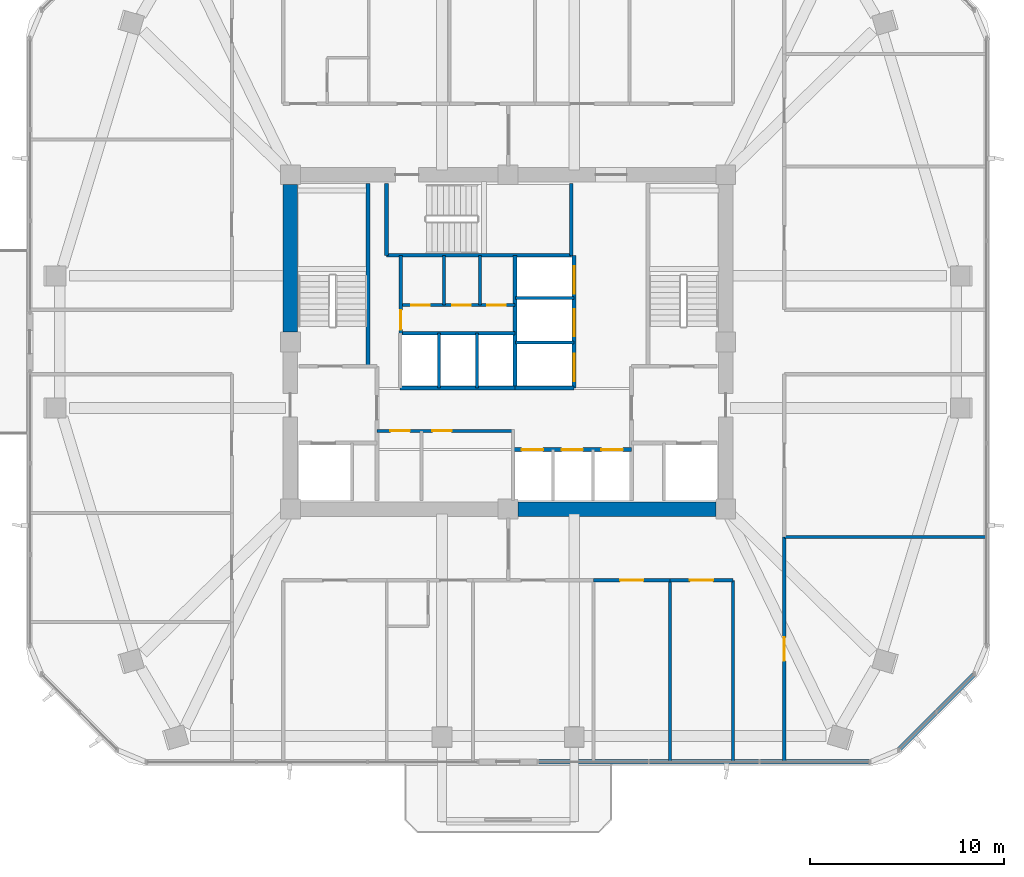
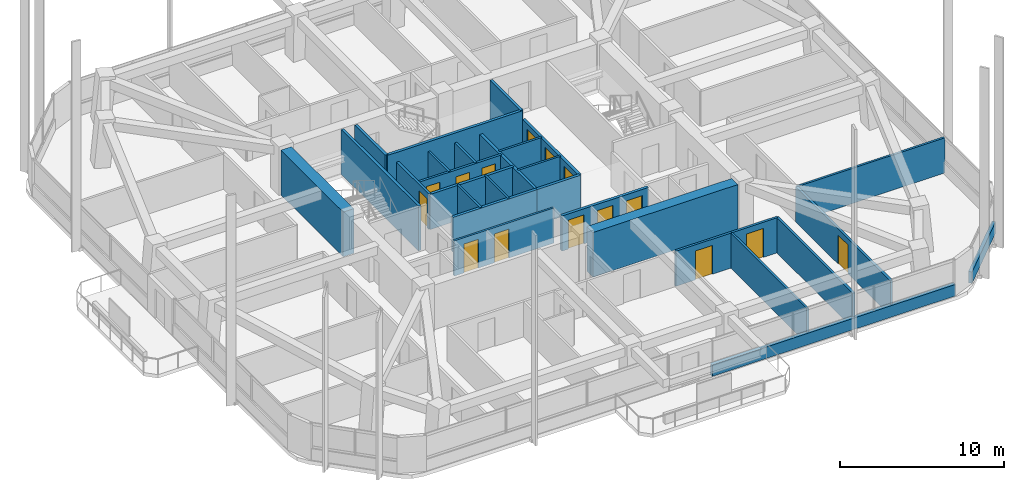
# One storey, part 9 of 15: 29 walls, 15 doors, 15 openings.
"""IFC4 building model written with IfcOpenShell, lengths in metres."""

from ifc_helpers import new_model, si_unit, derived_unit, direction, frame, frame_2d, origin, place, context, subcontext, project, spatial, rectangle, extrude, material, layer, layer_set, type_object, element, fill, save


model = new_model("IFC4")

# Units and contexts
model_context = context("Model", 3, precision=1e-05, world=origin(), true_north=direction((0.0, 1.0)))
body_context = subcontext(model_context, "Body", "Model", "MODEL_VIEW")
ifc_project = project(units=[si_unit("LENGTHUNIT", "METRE"), si_unit("AREAUNIT", "SQUARE_METRE"), si_unit("VOLUMEUNIT", "CUBIC_METRE"), si_unit("PLANEANGLEUNIT", "RADIAN"), si_unit("MASSUNIT", "GRAM", prefix="KILO"), derived_unit("THERMALTRANSMITTANCEUNIT", [(si_unit("POWERUNIT", "WATT"), 1), (si_unit("LENGTHUNIT", "METRE"), -2), (si_unit("THERMODYNAMICTEMPERATUREUNIT", "KELVIN"), -1)])], contexts=[model_context])

# Site, building, storey
site_placement = place(None, origin())
site = spatial("IfcSite", under=ifc_project, at=site_placement, CompositionType="ELEMENT")
building_placement = place(site_placement, origin())
building = spatial("IfcBuilding", under=site, at=building_placement, Name="Koralith Skygarden Medical Center", CompositionType="ELEMENT")
storey_placement = place(building_placement, frame((0.0, 0.0, 113.580078125)))
storey = spatial("IfcBuildingStorey", under=building, at=storey_placement, Name="L29", CompositionType="ELEMENT", Elevation=113.580078125)

# Wall, openings, doors
ifc_material_1 = material(Name="Gypsum Board Partition")
ifc_layer_1 = layer(ifc_material_1, 0.14990234375)
ifc_layer_set_1 = layer_set([ifc_layer_1], Name="Gypsum Board Partition")
wall_type_1 = type_object("IfcWallType", Name="Clinical Acoustic Partition 150", PredefinedType="PARTITIONING", material=ifc_layer_set_1)
wall_1_placement = place(storey_placement, frame((30.25, 21.320068359375, 0.0), z_axis=(0.0, 0.0, 1.0), x_axis=(1.0, 0.0, 0.0)))
wall_1 = element("IfcWall", 1, at=wall_1_placement, inside=storey, type_object=wall_type_1, Name="L29 Clinical Acoustic Partition 150 W-CORE-L29-FREED-LR-N", PredefinedType="PARTITIONING", context=body_context, shape_type="SweptSolid", body=[
    extrude(rectangle(XDim=7.0, YDim=0.14990234375, at=frame_2d((3.5, 0.0))), origin(), (0.0, 0.0, 1.0), 2.60986328125),
])
opening_1_placement = place(wall_1_placement, frame((0.699951171875, 0.0, 0.0)))
opening_1 = element("IfcOpeningElement", 2, at=opening_1_placement, cuts=wall_1, Name="Opening D-SUP", PredefinedType="OPENING", context=body_context, shape_type="SweptSolid", body=[
    extrude(rectangle(XDim=1.0, YDim=2.14990234375, at=frame_2d((0.5, 1.074951171875))), frame((0.0, 0.0849609375, 0.0), z_axis=(0.0, -1.0, 0.0), x_axis=(1.0, 0.0, 0.0)), (0.0, 0.0, 1.0), 0.169921875),
])
opening_2_placement = place(wall_1_placement, frame((2.85009765625, 0.0, 0.0)))
opening_2 = element("IfcOpeningElement", 3, at=opening_2_placement, cuts=wall_1, Name="Opening D-SUP", PredefinedType="OPENING", context=body_context, shape_type="SweptSolid", body=[
    extrude(rectangle(XDim=1.0, YDim=2.14990234375, at=frame_2d((0.5, 1.074951171875))), frame((0.0, 0.0849609375, 0.0), z_axis=(0.0, -1.0, 0.0), x_axis=(1.0, 0.0, 0.0)), (0.0, 0.0, 1.0), 0.169921875),
])
ifc_material_2 = material(Name="Aluminium 6063-T6", Category="aluminium")
door_type_1 = type_object("IfcDoorType", Name="Clinical Support Door D-SUP 1000", OperationType="NOTDEFINED", PredefinedType="DOOR", material=ifc_material_2)
door_1_placement = place(opening_1_placement, frame((1.0, 0.0, 0.0), z_axis=(0.0, 0.0, 1.0), x_axis=(-1.0, 0.0, 0.0)))
door_1 = element("IfcDoor", 4, at=door_1_placement, inside=storey, type_object=door_type_1, Name="L29 Medication Preparation Door", OperationType="SINGLE_SWING_LEFT", OverallHeight=2.14990234375, OverallWidth=1.0, PredefinedType="DOOR", context=body_context, shape_type="SweptSolid", body=[
    extrude(rectangle(XDim=1.0, YDim=2.14990234375, at=frame_2d((0.5, 1.074951171875))), frame((0.0, 0.02490234375, 0.0), z_axis=(0.0, -1.0, 0.0), x_axis=(1.0, 0.0, 0.0)), (0.0, 0.0, 1.0), 0.050048828125),
])
fill(opening_1, door_1)
door_2_placement = place(opening_2_placement, frame((1.0, 0.0, 0.0), z_axis=(0.0, 0.0, 1.0), x_axis=(-1.0, 0.0, 0.0)))
door_2 = element("IfcDoor", 5, at=door_2_placement, inside=storey, type_object=door_type_1, Name="L29 Telemetry Room Door", OperationType="SINGLE_SWING_RIGHT", OverallHeight=2.14990234375, OverallWidth=1.0, PredefinedType="DOOR", context=body_context, shape_type="SweptSolid", body=[
    extrude(rectangle(XDim=1.0, YDim=2.14990234375, at=frame_2d((0.5, 1.074951171875))), frame((0.0, 0.02490234375, 0.0), z_axis=(0.0, -1.0, 0.0), x_axis=(1.0, 0.0, 0.0)), (0.0, 0.0, 1.0), 0.050048828125),
])
fill(opening_2, door_2)

# Walls
for number, where, z_axis, x_axis, name in (
    (6, (33.699951171875, 27.800048828125, 0.0), (0.0, 0.0, 1.0), (0.0, 1.0, 0.0), "L29 Clinical Acoustic Partition 150 W-CORE-L29-FLEX-V2A"),
    (7, (35.56005859375, 27.800048828125, 0.0), (0.0, 0.0, 1.0), (0.0, 1.0, 0.0), "L29 Clinical Acoustic Partition 150 W-CORE-L29-FLEX-V2B"),
):
    element("IfcWall", number, at=place(storey_placement, frame(where, z_axis=z_axis, x_axis=x_axis)), inside=storey, type_object=wall_type_1, Name=name, PredefinedType="PARTITIONING", context=body_context, shape_type="SweptSolid", body=[
        extrude(rectangle(XDim=2.56005859375, YDim=0.14990234375, at=frame_2d((1.280029296875, 0.0))), origin(), (0.0, 0.0, 1.0), 2.60986328125),
    ])
wall_2_placement = place(storey_placement, frame((45.322998046875, 13.639892578125, 0.0), z_axis=(0.0, 0.0, 1.0), x_axis=(0.0, -1.0, 0.0)))
element("IfcWall", 8, at=wall_2_placement, inside=storey, type_object=wall_type_1, Name="L29 Clinical Acoustic Partition 150 W-PART-L29-S-04", PredefinedType="PARTITIONING", context=body_context, shape_type="SweptSolid", body=[
    extrude(rectangle(XDim=9.32080078125, YDim=0.14990234375, at=frame_2d((4.660400390625, 0.0))), origin(), (0.0, 0.0, 1.0), 2.60986328125),
])
wall_3_placement = place(storey_placement, frame((51.2099609375, 15.873046875, 0.0), z_axis=(0.0, 0.0, 1.0), x_axis=(1.0, 0.0, 0.0)))
element("IfcWall", 9, at=wall_3_placement, inside=storey, type_object=wall_type_1, Name="L29 Clinical Acoustic Partition 150 W-PART-L29-ES-01", PredefinedType="PARTITIONING", context=body_context, shape_type="SweptSolid", body=[
    extrude(rectangle(XDim=10.3740234375, YDim=0.14990234375, at=frame_2d((5.18701171875, 0.0))), origin(), (0.0, 0.0, 1.0), 2.60986328125),
])
ifc_layer_2 = layer(ifc_material_1, 0.1650390625)
ifc_layer_set_2 = layer_set([ifc_layer_2], Name="Gypsum Board Partition")
wall_type_2 = type_object("IfcWallType", Name="Clinical Corridor Partition 165", PredefinedType="PARTITIONING", material=ifc_layer_set_2)
wall_4_placement = place(storey_placement, frame((48.570068359375, 4.319091796875, 0.0), z_axis=(0.0, 0.0, 1.0), x_axis=(0.0, 1.0, 0.0)))
element("IfcWall", 10, at=wall_4_placement, inside=storey, type_object=wall_type_2, Name="L29 Clinical Corridor Partition 165 W-HCOR-L29-SE", PredefinedType="PARTITIONING", context=body_context, shape_type="SweptSolid", body=[
    extrude(rectangle(XDim=9.32080078125, YDim=0.1650390625, at=frame_2d((4.660400390625, 0.0))), origin(), (0.0, 0.0, 1.0), 2.60986328125),
])

# Wall, opening, door
wall_5_placement = place(storey_placement, frame((41.39306640625, 13.639892578125, 0.0), z_axis=(0.0, 0.0, 1.0), x_axis=(1.0, 0.0, 0.0)))
wall_5 = element("IfcWall", 11, at=wall_5_placement, inside=storey, type_object=wall_type_2, Name="L29 Clinical Corridor Partition 165 W-CORR-L29-S-04", PredefinedType="PARTITIONING", context=body_context, shape_type="SweptSolid", body=[
    extrude(rectangle(XDim=3.929931640625, YDim=0.1650390625, at=frame_2d((1.96484375, 0.0))), origin(), (0.0, 0.0, 1.0), 2.60986328125),
])
opening_3_placement = place(wall_5_placement, frame((1.364990234375, 0.0, 0.0)))
opening_3 = element("IfcOpeningElement", 12, at=opening_3_placement, cuts=wall_5, Name="Opening D-CLN", PredefinedType="OPENING", context=body_context, shape_type="SweptSolid", body=[
    extrude(rectangle(XDim=1.199951171875, YDim=2.14990234375, at=frame_2d((0.60009765625, 1.074951171875))), frame((0.0, 0.092529296875, 0.0), z_axis=(0.0, -1.0, 0.0), x_axis=(1.0, 0.0, 0.0)), (0.0, 0.0, 1.0), 0.18505859375),
])
door_type_2 = type_object("IfcDoorType", Name="Clinical Corridor Door D-CLN 1200", OperationType="NOTDEFINED", PredefinedType="DOOR", material=ifc_material_2)
door_3_placement = place(opening_3_placement, frame((1.199951171875, 0.0, 0.0), z_axis=(0.0, 0.0, 1.0), x_axis=(-1.0, 0.0, 0.0)))
door_3 = element("IfcDoor", 13, at=door_3_placement, inside=storey, type_object=door_type_2, Name="L29 Patient Rest Lounge 09 Door", OperationType="SINGLE_SWING_RIGHT", OverallHeight=2.14990234375, OverallWidth=1.199951171875, PredefinedType="DOOR", context=body_context, shape_type="SweptSolid", body=[
    extrude(rectangle(XDim=1.199951171875, YDim=2.14990234375, at=frame_2d((0.60009765625, 1.074951171875))), frame((0.0, 0.02490234375, 0.0), z_axis=(0.0, -1.0, 0.0), x_axis=(1.0, 0.0, 0.0)), (0.0, 0.0, 1.0), 0.050048828125),
])
fill(opening_3, door_3)

wall_6_placement = place(storey_placement, frame((45.322998046875, 13.639892578125, 0.0), z_axis=(0.0, 0.0, 1.0), x_axis=(1.0, 0.0, 0.0)))
wall_6 = element("IfcWall", 14, at=wall_6_placement, inside=storey, type_object=wall_type_2, Name="L29 Clinical Corridor Partition 165 W-CORR-L29-S-05", PredefinedType="PARTITIONING", context=body_context, shape_type="SweptSolid", body=[
    extrude(rectangle(XDim=3.2470703125, YDim=0.1650390625, at=frame_2d((1.62353515625, 0.0))), origin(), (0.0, 0.0, 1.0), 2.60986328125),
])
opening_4_placement = place(wall_6_placement, frame((1.02294921875, 0.0, 0.0)))
opening_4 = element("IfcOpeningElement", 15, at=opening_4_placement, cuts=wall_6, Name="Opening D-CLN", PredefinedType="OPENING", context=body_context, shape_type="SweptSolid", body=[
    extrude(rectangle(XDim=1.199951171875, YDim=2.14990234375, at=frame_2d((0.60009765625, 1.074951171875))), frame((0.0, 0.092529296875, 0.0), z_axis=(0.0, -1.0, 0.0), x_axis=(1.0, 0.0, 0.0)), (0.0, 0.0, 1.0), 0.18505859375),
])
door_4_placement = place(opening_4_placement, frame((1.199951171875, 0.0, 0.0), z_axis=(0.0, 0.0, 1.0), x_axis=(-1.0, 0.0, 0.0)))
door_4 = element("IfcDoor", 16, at=door_4_placement, inside=storey, type_object=door_type_2, Name="L29 Exercise Physiologist Office 10 Door", OperationType="SINGLE_SWING_LEFT", OverallHeight=2.14990234375, OverallWidth=1.199951171875, PredefinedType="DOOR", context=body_context, shape_type="SweptSolid", body=[
    extrude(rectangle(XDim=1.199951171875, YDim=2.14990234375, at=frame_2d((0.60009765625, 1.074951171875))), frame((0.0, 0.02490234375, 0.0), z_axis=(0.0, -1.0, 0.0), x_axis=(1.0, 0.0, 0.0)), (0.0, 0.0, 1.0), 0.050048828125),
])
fill(opening_4, door_4)

wall_7_placement = place(storey_placement, frame((51.2099609375, 4.319091796875, 0.0), z_axis=(0.0, 0.0, 1.0), x_axis=(0.0, 1.0, 0.0)))
wall_7 = element("IfcWall", 17, at=wall_7_placement, inside=storey, type_object=wall_type_2, Name="L29 Clinical Corridor Partition 165 W-CORR-L29-ES-01", PredefinedType="PARTITIONING", context=body_context, shape_type="SweptSolid", body=[
    extrude(rectangle(XDim=11.553955078125, YDim=0.1650390625, at=frame_2d((5.77685546875, 0.0))), origin(), (0.0, 0.0, 1.0), 2.60986328125),
])
opening_5_placement = place(wall_7_placement, frame((5.177001953125, 0.0, 0.0)))
opening_5 = element("IfcOpeningElement", 18, at=opening_5_placement, cuts=wall_7, Name="Opening D-CLN", PredefinedType="OPENING", context=body_context, shape_type="SweptSolid", body=[
    extrude(rectangle(XDim=1.199951171875, YDim=2.14990234375, at=frame_2d((0.60009765625, 1.074951171875))), frame((0.0, 0.092529296875, 0.0), z_axis=(0.0, -1.0, 0.0), x_axis=(1.0, 0.0, 0.0)), (0.0, 0.0, 1.0), 0.18505859375),
])
door_5_placement = place(opening_5_placement, origin())
door_5 = element("IfcDoor", 19, at=door_5_placement, inside=storey, type_object=door_type_2, Name="L29 Cardiopulmonary Rehab Gym Hall 16 Door", OperationType="SINGLE_SWING_LEFT", OverallHeight=2.14990234375, OverallWidth=1.199951171875, PredefinedType="DOOR", context=body_context, shape_type="SweptSolid", body=[
    extrude(rectangle(XDim=1.199951171875, YDim=2.14990234375, at=frame_2d((0.60009765625, 1.074951171875))), frame((0.0, 0.02490234375, 0.0), z_axis=(0.0, -1.0, 0.0), x_axis=(1.0, 0.0, 0.0)), (0.0, 0.0, 1.0), 0.050048828125),
])
fill(opening_5, door_5)

# Wall, openings, doors
ifc_layer_3 = layer(ifc_material_1, 0.199951171875)
ifc_layer_set_3 = layer_set([ifc_layer_3], Name="Gypsum Board Partition")
wall_type_3 = type_object("IfcWallType", Name="Fire Shaft Wall 200", PredefinedType="SOLIDWALL", material=ifc_layer_set_3)
wall_8_placement = place(storey_placement, frame((37.25, 20.360107421875, 0.0), z_axis=(0.0, 0.0, 1.0), x_axis=(1.0, 0.0, 0.0)))
wall_8 = element("IfcWall", 20, at=wall_8_placement, inside=storey, type_object=wall_type_3, Name="L29 Fire Shaft Wall 200 W-CORE-L29-PM-N", PredefinedType="SOLIDWALL", context=body_context, shape_type="SweptSolid", body=[
    extrude(rectangle(XDim=6.10009765625, YDim=0.199951171875, at=frame_2d((3.050048828125, 0.0))), origin(), (0.0, 0.0, 1.0), 2.60986328125),
])
opening_6_placement = place(wall_8_placement, frame((0.449951171875, 0.0, 0.0)))
opening_6 = element("IfcOpeningElement", 21, at=opening_6_placement, cuts=wall_8, Name="Opening LD-P", PredefinedType="OPENING", context=body_context, shape_type="SweptSolid", body=[
    extrude(rectangle(XDim=1.10009765625, YDim=2.14990234375, at=frame_2d((0.550048828125, 1.074951171875))), frame((0.0, 0.10986328125, 0.0), z_axis=(0.0, -1.0, 0.0), x_axis=(1.0, 0.0, 0.0)), (0.0, 0.0, 1.0), 0.219970703125),
])
opening_7_placement = place(wall_8_placement, frame((2.5, 0.0, 0.0)))
opening_7 = element("IfcOpeningElement", 22, at=opening_7_placement, cuts=wall_8, Name="Opening LD-P", PredefinedType="OPENING", context=body_context, shape_type="SweptSolid", body=[
    extrude(rectangle(XDim=1.10009765625, YDim=2.14990234375, at=frame_2d((0.550048828125, 1.074951171875))), frame((0.0, 0.10986328125, 0.0), z_axis=(0.0, -1.0, 0.0), x_axis=(1.0, 0.0, 0.0)), (0.0, 0.0, 1.0), 0.219970703125),
])
opening_8_placement = place(wall_8_placement, frame((4.550048828125, 0.0, 0.0)))
opening_8 = element("IfcOpeningElement", 23, at=opening_8_placement, cuts=wall_8, Name="Opening LD-P", PredefinedType="OPENING", context=body_context, shape_type="SweptSolid", body=[
    extrude(rectangle(XDim=1.10009765625, YDim=2.14990234375, at=frame_2d((0.550048828125, 1.074951171875))), frame((0.0, 0.10986328125, 0.0), z_axis=(0.0, -1.0, 0.0), x_axis=(1.0, 0.0, 0.0)), (0.0, 0.0, 1.0), 0.219970703125),
])
ifc_material_3 = material(Name="Steel ASTM A500 Grade C", Category="steel")
door_type_3 = type_object("IfcDoorType", Name="Passenger Lift Sliding Landing Door LD-P 1100", OperationType="NOTDEFINED", PredefinedType="DOOR", material=ifc_material_3)
door_6_placement = place(opening_6_placement, origin())
door_6 = element("IfcDoor", 24, at=door_6_placement, inside=storey, type_object=door_type_3, Name="L29 Passenger Elevator PM1 Landing Door", OperationType="SLIDING_TO_LEFT", OverallHeight=2.14990234375, OverallWidth=1.10009765625, PredefinedType="DOOR", context=body_context, shape_type="SweptSolid", body=[
    extrude(rectangle(XDim=1.10009765625, YDim=2.14990234375, at=frame_2d((0.550048828125, 1.074951171875))), frame((0.0, 0.02490234375, 0.0), z_axis=(0.0, -1.0, 0.0), x_axis=(1.0, 0.0, 0.0)), (0.0, 0.0, 1.0), 0.050048828125),
])
fill(opening_6, door_6)
door_7_placement = place(opening_7_placement, origin())
door_7 = element("IfcDoor", 25, at=door_7_placement, inside=storey, type_object=door_type_3, Name="L29 Passenger Elevator PM2 Landing Door", OperationType="SLIDING_TO_LEFT", OverallHeight=2.14990234375, OverallWidth=1.10009765625, PredefinedType="DOOR", context=body_context, shape_type="SweptSolid", body=[
    extrude(rectangle(XDim=1.10009765625, YDim=2.14990234375, at=frame_2d((0.550048828125, 1.074951171875))), frame((0.0, 0.02490234375, 0.0), z_axis=(0.0, -1.0, 0.0), x_axis=(1.0, 0.0, 0.0)), (0.0, 0.0, 1.0), 0.050048828125),
])
fill(opening_7, door_7)
door_8_placement = place(opening_8_placement, origin())
door_8 = element("IfcDoor", 26, at=door_8_placement, inside=storey, type_object=door_type_3, Name="L29 Passenger Elevator PM3 Landing Door", OperationType="SLIDING_TO_LEFT", OverallHeight=2.14990234375, OverallWidth=1.10009765625, PredefinedType="DOOR", context=body_context, shape_type="SweptSolid", body=[
    extrude(rectangle(XDim=1.10009765625, YDim=2.14990234375, at=frame_2d((0.550048828125, 1.074951171875))), frame((0.0, 0.02490234375, 0.0), z_axis=(0.0, -1.0, 0.0), x_axis=(1.0, 0.0, 0.0)), (0.0, 0.0, 1.0), 0.050048828125),
])
fill(opening_8, door_8)

# Walls
for number, where, z_axis, x_axis, name in (
    (27, (31.449951171875, 23.5400390625, 0.0), (0.0, 0.0, 1.0), (1.0, 0.0, 0.0), "L29 Fire Shaft Wall 200 W-CORE-L29-PH-S"),
    (28, (31.449951171875, 26.35009765625, 0.0), (0.0, 0.0, 1.0), (1.0, 0.0, 0.0), "L29 Fire Shaft Wall 200 W-CORE-L29-PH-N"),
):
    element("IfcWall", number, at=place(storey_placement, frame(where, z_axis=z_axis, x_axis=x_axis)), inside=storey, type_object=wall_type_3, Name=name, PredefinedType="SOLIDWALL", context=body_context, shape_type="SweptSolid", body=[
        extrude(rectangle(XDim=5.900146484375, YDim=0.199951171875, at=frame_2d((2.9501953125, 0.0))), origin(), (0.0, 0.0, 1.0), 2.60986328125),
    ])
wall_9_placement = place(storey_placement, frame((37.35009765625, 23.5400390625, 0.0), z_axis=(0.0, 0.0, 1.0), x_axis=(0.0, 1.0, 0.0)))
element("IfcWall", 29, at=wall_9_placement, inside=storey, type_object=wall_type_3, Name="L29 Fire Shaft Wall 200 W-CORE-L29-SV-W", PredefinedType="SOLIDWALL", context=body_context, shape_type="SweptSolid", body=[
    extrude(rectangle(XDim=6.820068359375, YDim=0.199951171875, at=frame_2d((3.41015625, 0.0))), origin(), (0.0, 0.0, 1.0), 2.60986328125),
])
wall_10_placement = place(storey_placement, frame((37.35009765625, 23.5400390625, 0.0), z_axis=(0.0, 0.0, 1.0), x_axis=(1.0, 0.0, 0.0)))
element("IfcWall", 30, at=wall_10_placement, inside=storey, type_object=wall_type_3, Name="L29 Fire Shaft Wall 200 W-CORE-L29-SV-S", PredefinedType="SOLIDWALL", context=body_context, shape_type="SweptSolid", body=[
    extrude(rectangle(XDim=3.0498046875, YDim=0.199951171875, at=frame_2d((1.52490234375, 0.0))), origin(), (0.0, 0.0, 1.0), 2.60986328125),
])

# Wall, openings, doors
wall_11_placement = place(storey_placement, frame((40.39990234375, 23.5400390625, 0.0), z_axis=(0.0, 0.0, 1.0), x_axis=(0.0, 1.0, 0.0)))
wall_11 = element("IfcWall", 31, at=wall_11_placement, inside=storey, type_object=wall_type_3, Name="L29 Fire Shaft Wall 200 W-CORE-L29-SV-E", PredefinedType="SOLIDWALL", context=body_context, shape_type="SweptSolid", body=[
    extrude(rectangle(XDim=6.820068359375, YDim=0.199951171875, at=frame_2d((3.41015625, 0.0))), origin(), (0.0, 0.0, 1.0), 2.60986328125),
])
opening_9_placement = place(wall_11_placement, frame((0.35009765625, 0.0, 0.0)))
opening_9 = element("IfcOpeningElement", 32, at=opening_9_placement, cuts=wall_11, Name="Opening LD-SV", PredefinedType="OPENING", context=body_context, shape_type="SweptSolid", body=[
    extrude(rectangle(XDim=1.39990234375, YDim=2.199951171875, at=frame_2d((0.699951171875, 1.10009765625))), frame((0.0, 0.10986328125, 0.0), z_axis=(0.0, -1.0, 0.0), x_axis=(1.0, 0.0, 0.0)), (0.0, 0.0, 1.0), 0.219970703125),
])
opening_10_placement = place(wall_11_placement, frame((2.64990234375, 0.0, 0.0)))
opening_10 = element("IfcOpeningElement", 33, at=opening_10_placement, cuts=wall_11, Name="Opening LD-SV", PredefinedType="OPENING", context=body_context, shape_type="SweptSolid", body=[
    extrude(rectangle(XDim=1.39990234375, YDim=2.199951171875, at=frame_2d((0.699951171875, 1.10009765625))), frame((0.0, 0.10986328125, 0.0), z_axis=(0.0, -1.0, 0.0), x_axis=(1.0, 0.0, 0.0)), (0.0, 0.0, 1.0), 0.219970703125),
])
opening_11_placement = place(wall_11_placement, frame((4.85009765625, 0.0, 0.0)))
opening_11 = element("IfcOpeningElement", 34, at=opening_11_placement, cuts=wall_11, Name="Opening LD-SV", PredefinedType="OPENING", context=body_context, shape_type="SweptSolid", body=[
    extrude(rectangle(XDim=1.39990234375, YDim=2.199951171875, at=frame_2d((0.699951171875, 1.10009765625))), frame((0.0, 0.10986328125, 0.0), z_axis=(0.0, -1.0, 0.0), x_axis=(1.0, 0.0, 0.0)), (0.0, 0.0, 1.0), 0.219970703125),
])
door_type_4 = type_object("IfcDoorType", Name="Bed Lift Sliding Landing Door LD-SV 1400", OperationType="NOTDEFINED", PredefinedType="DOOR", material=ifc_material_3)
door_9_placement = place(opening_9_placement, origin())
door_9 = element("IfcDoor", 35, at=door_9_placement, inside=storey, type_object=door_type_4, Name="L29 Bed Elevator BD1 Landing Door", OperationType="SLIDING_TO_LEFT", OverallHeight=2.199951171875, OverallWidth=1.39990234375, PredefinedType="DOOR", context=body_context, shape_type="SweptSolid", body=[
    extrude(rectangle(XDim=1.39990234375, YDim=2.199951171875, at=frame_2d((0.699951171875, 1.10009765625))), frame((0.0, 0.02490234375, 0.0), z_axis=(0.0, -1.0, 0.0), x_axis=(1.0, 0.0, 0.0)), (0.0, 0.0, 1.0), 0.050048828125),
])
fill(opening_9, door_9)
door_10_placement = place(opening_10_placement, origin())
door_10 = element("IfcDoor", 36, at=door_10_placement, inside=storey, type_object=door_type_4, Name="L29 Service Elevator BD2 Landing Door", OperationType="SLIDING_TO_LEFT", OverallHeight=2.199951171875, OverallWidth=1.39990234375, PredefinedType="DOOR", context=body_context, shape_type="SweptSolid", body=[
    extrude(rectangle(XDim=1.39990234375, YDim=2.199951171875, at=frame_2d((0.699951171875, 1.10009765625))), frame((0.0, 0.02490234375, 0.0), z_axis=(0.0, -1.0, 0.0), x_axis=(1.0, 0.0, 0.0)), (0.0, 0.0, 1.0), 0.050048828125),
])
fill(opening_10, door_10)
door_11_placement = place(opening_11_placement, origin())
door_11 = element("IfcDoor", 37, at=door_11_placement, inside=storey, type_object=door_type_4, Name="L29 Trauma Elevator TR1 Landing Door", OperationType="SLIDING_TO_RIGHT", OverallHeight=2.199951171875, OverallWidth=1.39990234375, PredefinedType="DOOR", context=body_context, shape_type="SweptSolid", body=[
    extrude(rectangle(XDim=1.39990234375, YDim=2.199951171875, at=frame_2d((0.699951171875, 1.10009765625))), frame((0.0, 0.02490234375, 0.0), z_axis=(0.0, -1.0, 0.0), x_axis=(1.0, 0.0, 0.0)), (0.0, 0.0, 1.0), 0.050048828125),
])
fill(opening_11, door_11)

# Walls
ifc_material_4 = material(Name="Warm Oolitic Limestone Cladding", Category="masonry")
ifc_layer_4 = layer(ifc_material_4, 0.239990234375)
ifc_layer_set_4 = layer_set([ifc_layer_4], Name="Warm Oolitic Limestone Cladding")
wall_type_4 = type_object("IfcWallType", Name="Limestone Spandrel Sill Backup Wall 240", PredefinedType="SOLIDWALL", material=ifc_layer_set_4)
wall_12_placement = place(storey_placement, frame((38.5390625, 4.299072265625, 0.0), z_axis=(0.0, 0.0, 1.0), x_axis=(1.0, 0.0, 0.0)))
element("IfcWall", 38, at=wall_12_placement, inside=storey, type_object=wall_type_4, Name="L29 Sill Spandrel S-R", PredefinedType="SOLIDWALL", context=body_context, shape_type="SweptSolid", body=[
    extrude(rectangle(XDim=17.08984375, YDim=0.239990234375, at=frame_2d((8.544921875, 0.0))), origin(), (0.0, 0.0, 1.0), 0.849853515625),
])
wall_13_placement = place(storey_placement, frame((57.080078125, 4.90087890625, 0.0), z_axis=(0.0, 0.0, 1.0), x_axis=(0.707084777957, 0.707128783731, 0.0)))
element("IfcWall", 39, at=wall_13_placement, inside=storey, type_object=wall_type_4, Name="L29 Sill Spandrel SE", PredefinedType="SOLIDWALL", context=body_context, shape_type="SweptSolid", body=[
    extrude(rectangle(XDim=5.5478515625, YDim=0.239990234375, at=frame_2d((2.77392578125, 0.0))), origin(), (0.0, 0.0, 1.0), 0.849853515625),
])
ifc_material_5 = material(Name="Concrete C70/85", Category="concrete")
ifc_layer_5 = layer(ifc_material_5, 0.75)
ifc_layer_set_5 = layer_set([ifc_layer_5], Name="Concrete C70/85")
wall_type_5 = type_object("IfcWallType", Name="Mid Core Shear Wall 750", PredefinedType="SHEAR", material=ifc_layer_set_5)
wall_14_placement = place(storey_placement, frame((37.5048828125, 17.300048828125, 0.0), z_axis=(0.0, 0.0, 1.0), x_axis=(1.0, 0.0, 0.0)))
element("IfcWall", 40, at=wall_14_placement, inside=storey, type_object=wall_type_5, Name="L29 Core Shear Wall Segment 2", PredefinedType="SHEAR", context=body_context, shape_type="SweptSolid", body=[
    extrude(rectangle(XDim=10.190185546875, YDim=0.75, at=frame_2d((5.09521484375, 0.0))), origin(), (0.0, 0.0, 1.0), 3.31982421875),
])
wall_15_placement = place(storey_placement, frame((25.800048828125, 33.9951171875, 0.0), z_axis=(0.0, 0.0, 1.0), x_axis=(0.0, -1.0, 0.0)))
element("IfcWall", 41, at=wall_15_placement, inside=storey, type_object=wall_type_5, Name="L29 Core Shear Wall Segment 7", PredefinedType="SHEAR", context=body_context, shape_type="SweptSolid", body=[
    extrude(rectangle(XDim=7.590087890625, YDim=0.75, at=frame_2d((3.794921875, 0.0))), origin(), (0.0, 0.0, 1.0), 3.31982421875),
])

# Wall, opening, door
ifc_layer_6 = layer(ifc_material_1, 0.1650390625)
ifc_layer_set_6 = layer_set([ifc_layer_6], Name="Gypsum Board Partition")
wall_type_6 = type_object("IfcWallType", Name="Plumbing Wet Wall 165", PredefinedType="PLUMBINGWALL", material=ifc_layer_set_6)
wall_16_placement = place(storey_placement, frame((31.47998046875, 26.320068359375, 0.0), z_axis=(0.0, 0.0, 1.0), x_axis=(0.0, 1.0, 0.0)))
wall_16 = element("IfcWall", 42, at=wall_16_placement, inside=storey, type_object=wall_type_6, Name="L29 Plumbing Wet Wall 165 W-CORE-L29-FLEX-W", PredefinedType="PLUMBINGWALL", context=body_context, shape_type="SweptSolid", body=[
    extrude(rectangle(XDim=4.0400390625, YDim=0.1650390625, at=frame_2d((2.02001953125, 0.0))), origin(), (0.0, 0.0, 1.0), 2.60986328125),
])
opening_12_placement = place(wall_16_placement, frame((0.219970703125, 0.0, 0.0)))
opening_12 = element("IfcOpeningElement", 43, at=opening_12_placement, cuts=wall_16, Name="Opening D-SUP", PredefinedType="OPENING", context=body_context, shape_type="SweptSolid", body=[
    extrude(rectangle(XDim=1.0, YDim=2.14990234375, at=frame_2d((0.5, 1.074951171875))), frame((0.0, 0.092529296875, 0.0), z_axis=(0.0, -1.0, 0.0), x_axis=(1.0, 0.0, 0.0)), (0.0, 0.0, 1.0), 0.18505859375),
])
door_12_placement = place(opening_12_placement, frame((1.0, 0.0, 0.0), z_axis=(0.0, 0.0, 1.0), x_axis=(-1.0, 0.0, 0.0)))
door_12 = element("IfcDoor", 44, at=door_12_placement, inside=storey, type_object=door_type_1, Name="L29 Core Service Alcove Door", OperationType="SINGLE_SWING_LEFT", OverallHeight=2.14990234375, OverallWidth=1.0, PredefinedType="DOOR", context=body_context, shape_type="SweptSolid", body=[
    extrude(rectangle(XDim=1.0, YDim=2.14990234375, at=frame_2d((0.5, 1.074951171875))), frame((0.0, 0.02490234375, 0.0), z_axis=(0.0, -1.0, 0.0), x_axis=(1.0, 0.0, 0.0)), (0.0, 0.0, 1.0), 0.050048828125),
])
fill(opening_12, door_12)

# Wall, openings, doors
wall_17_placement = place(storey_placement, frame((31.47998046875, 27.800048828125, 0.0), z_axis=(0.0, 0.0, 1.0), x_axis=(1.0, 0.0, 0.0)))
wall_17 = element("IfcWall", 45, at=wall_17_placement, inside=storey, type_object=wall_type_6, Name="L29 Plumbing Wet Wall 165 W-CORE-L29-FLEX-H2", PredefinedType="PLUMBINGWALL", context=body_context, shape_type="SweptSolid", body=[
    extrude(rectangle(XDim=5.8701171875, YDim=0.1650390625, at=frame_2d((2.93505859375, 0.0))), origin(), (0.0, 0.0, 1.0), 2.60986328125),
])
opening_13_placement = place(wall_17_placement, frame((0.550048828125, 0.0, 0.0)))
opening_13 = element("IfcOpeningElement", 46, at=opening_13_placement, cuts=wall_17, Name="Opening D-WC", PredefinedType="OPENING", context=body_context, shape_type="SweptSolid", body=[
    extrude(rectangle(XDim=0.949951171875, YDim=2.10009765625, at=frame_2d((0.47509765625, 1.050048828125))), frame((0.0, 0.092529296875, 0.0), z_axis=(0.0, -1.0, 0.0), x_axis=(1.0, 0.0, 0.0)), (0.0, 0.0, 1.0), 0.18505859375),
])
opening_14_placement = place(wall_17_placement, frame((2.64990234375, 0.0, 0.0)))
opening_14 = element("IfcOpeningElement", 47, at=opening_14_placement, cuts=wall_17, Name="Opening D-WC", PredefinedType="OPENING", context=body_context, shape_type="SweptSolid", body=[
    extrude(rectangle(XDim=0.949951171875, YDim=2.10009765625, at=frame_2d((0.47509765625, 1.050048828125))), frame((0.0, 0.092529296875, 0.0), z_axis=(0.0, -1.0, 0.0), x_axis=(1.0, 0.0, 0.0)), (0.0, 0.0, 1.0), 0.18505859375),
])
opening_15_placement = place(wall_17_placement, frame((4.449951171875, 0.0, 0.0)))
opening_15 = element("IfcOpeningElement", 48, at=opening_15_placement, cuts=wall_17, Name="Opening D-WC", PredefinedType="OPENING", context=body_context, shape_type="SweptSolid", body=[
    extrude(rectangle(XDim=0.949951171875, YDim=2.10009765625, at=frame_2d((0.47509765625, 1.050048828125))), frame((0.0, 0.092529296875, 0.0), z_axis=(0.0, -1.0, 0.0), x_axis=(1.0, 0.0, 0.0)), (0.0, 0.0, 1.0), 0.18505859375),
])
door_type_5 = type_object("IfcDoorType", Name="Accessible Toilet Door D-WC 950", OperationType="NOTDEFINED", PredefinedType="DOOR", material=ifc_material_2)
door_13_placement = place(opening_13_placement, origin())
door_13 = element("IfcDoor", 49, at=door_13_placement, inside=storey, type_object=door_type_5, Name="L29 Core Accessible WC Door", OperationType="SINGLE_SWING_LEFT", OverallHeight=2.10009765625, OverallWidth=0.949951171875, PredefinedType="DOOR", context=body_context, shape_type="SweptSolid", body=[
    extrude(rectangle(XDim=0.949951171875, YDim=2.10009765625, at=frame_2d((0.47509765625, 1.050048828125))), frame((0.0, 0.02490234375, 0.0), z_axis=(0.0, -1.0, 0.0), x_axis=(1.0, 0.0, 0.0)), (0.0, 0.0, 1.0), 0.050048828125),
])
fill(opening_13, door_13)
door_14_placement = place(opening_14_placement, origin())
door_14 = element("IfcDoor", 50, at=door_14_placement, inside=storey, type_object=door_type_5, Name="L29 Soiled Sluice Door", OperationType="SINGLE_SWING_LEFT", OverallHeight=2.10009765625, OverallWidth=0.949951171875, PredefinedType="DOOR", context=body_context, shape_type="SweptSolid", body=[
    extrude(rectangle(XDim=0.949951171875, YDim=2.10009765625, at=frame_2d((0.47509765625, 1.050048828125))), frame((0.0, 0.02490234375, 0.0), z_axis=(0.0, -1.0, 0.0), x_axis=(1.0, 0.0, 0.0)), (0.0, 0.0, 1.0), 0.050048828125),
])
fill(opening_14, door_14)
door_15_placement = place(opening_15_placement, origin())
door_15 = element("IfcDoor", 51, at=door_15_placement, inside=storey, type_object=door_type_5, Name="L29 Clean Linen Store Door", OperationType="SINGLE_SWING_RIGHT", OverallHeight=2.10009765625, OverallWidth=0.949951171875, PredefinedType="DOOR", context=body_context, shape_type="SweptSolid", body=[
    extrude(rectangle(XDim=0.949951171875, YDim=2.10009765625, at=frame_2d((0.47509765625, 1.050048828125))), frame((0.0, 0.02490234375, 0.0), z_axis=(0.0, -1.0, 0.0), x_axis=(1.0, 0.0, 0.0)), (0.0, 0.0, 1.0), 0.050048828125),
])
fill(opening_15, door_15)

# Walls
ifc_layer_7 = layer(ifc_material_1, 0.14990234375)
ifc_layer_set_7 = layer_set([ifc_layer_7], Name="Gypsum Board Partition")
wall_type_7 = type_object("IfcWallType", Name="Shaft Partition Wall 150", PredefinedType="PARTITIONING", material=ifc_layer_set_7)
for number, where, z_axis, x_axis, name in (
    (52, (33.449951171875, 23.5400390625, 0.0), (0.0, 0.0, 1.0), (0.0, 1.0, 0.0), "L29 Shaft Partition Wall 150 W-CORE-L29-PH-D1"),
    (53, (35.39990234375, 23.5400390625, 0.0), (0.0, 0.0, 1.0), (0.0, 1.0, 0.0), "L29 Shaft Partition Wall 150 W-CORE-L29-PH-D2"),
):
    element("IfcWall", number, at=place(storey_placement, frame(where, z_axis=z_axis, x_axis=x_axis)), inside=storey, type_object=wall_type_7, Name=name, PredefinedType="PARTITIONING", context=body_context, shape_type="SweptSolid", body=[
        extrude(rectangle(XDim=2.81005859375, YDim=0.14990234375, at=frame_2d((1.405029296875, 0.0))), origin(), (0.0, 0.0, 1.0), 2.60986328125),
    ])
for number, where, z_axis, x_axis, name in (
    (54, (37.3701171875, 25.8701171875, 0.0), (0.0, 0.0, 1.0), (1.0, 0.0, 0.0), "L29 Shaft Partition Wall 150 W-CORE-L29-SV-D1"),
    (55, (37.3701171875, 28.169921875, 0.0), (0.0, 0.0, 1.0), (1.0, 0.0, 0.0), "L29 Shaft Partition Wall 150 W-CORE-L29-SV-D2"),
):
    element("IfcWall", number, at=place(storey_placement, frame(where, z_axis=z_axis, x_axis=x_axis)), inside=storey, type_object=wall_type_7, Name=name, PredefinedType="PARTITIONING", context=body_context, shape_type="SweptSolid", body=[
        extrude(rectangle(XDim=3.009765625, YDim=0.14990234375, at=frame_2d((1.5048828125, 0.0))), origin(), (0.0, 0.0, 1.0), 2.60986328125),
    ])
ifc_material_6 = material(Name="Concrete C45/55", Category="concrete")
ifc_layer_8 = layer(ifc_material_6, 0.199951171875)
ifc_layer_set_8 = layer_set([ifc_layer_8], Name="Concrete C45/55")
wall_type_8 = type_object("IfcWallType", Name="Structural Stair Shaft Wall 200", PredefinedType="SHEAR", material=ifc_layer_set_8)
wall_18_placement = place(storey_placement, frame((29.800048828125, 24.64990234375, 0.0), z_axis=(0.0, 0.0, 1.0), x_axis=(0.0, 1.0, 0.0)))
element("IfcWall", 56, at=wall_18_placement, inside=storey, type_object=wall_type_8, Name="L29 Structural Stair Shaft Wall 200 W-CORE-L29-ST1-E", PredefinedType="SHEAR", context=body_context, shape_type="SweptSolid", body=[
    extrude(rectangle(XDim=9.400146484375, YDim=0.199951171875, at=frame_2d((4.7001953125, 0.0))), origin(), (0.0, 0.0, 1.0), 3.31982421875),
])
wall_19_placement = place(storey_placement, frame((30.75, 30.360107421875, 0.0), z_axis=(0.0, 0.0, 1.0), x_axis=(1.0, 0.0, 0.0)))
element("IfcWall", 57, at=wall_19_placement, inside=storey, type_object=wall_type_8, Name="L29 Structural Stair Shaft Wall 200 W-CORE-L29-ST3-S", PredefinedType="SHEAR", context=body_context, shape_type="SweptSolid", body=[
    extrude(rectangle(XDim=9.5, YDim=0.199951171875, at=frame_2d((4.75, 0.0))), origin(), (0.0, 0.0, 1.0), 3.31982421875),
])
for number, where, z_axis, x_axis, name in (
    (58, (30.75, 30.360107421875, 0.0), (0.0, 0.0, 1.0), (0.0, 1.0, 0.0), "L29 Structural Stair Shaft Wall 200 W-CORE-L29-ST3-W"),
    (59, (40.25, 30.360107421875, 0.0), (0.0, 0.0, 1.0), (0.0, 1.0, 0.0), "L29 Structural Stair Shaft Wall 200 W-CORE-L29-ST3-E"),
):
    element("IfcWall", number, at=place(storey_placement, frame(where, z_axis=z_axis, x_axis=x_axis)), inside=storey, type_object=wall_type_8, Name=name, PredefinedType="SHEAR", context=body_context, shape_type="SweptSolid", body=[
        extrude(rectangle(XDim=3.68994140625, YDim=0.199951171875, at=frame_2d((1.844970703125, 0.0))), origin(), (0.0, 0.0, 1.0), 3.31982421875),
    ])

save(model, "model.ifc")
